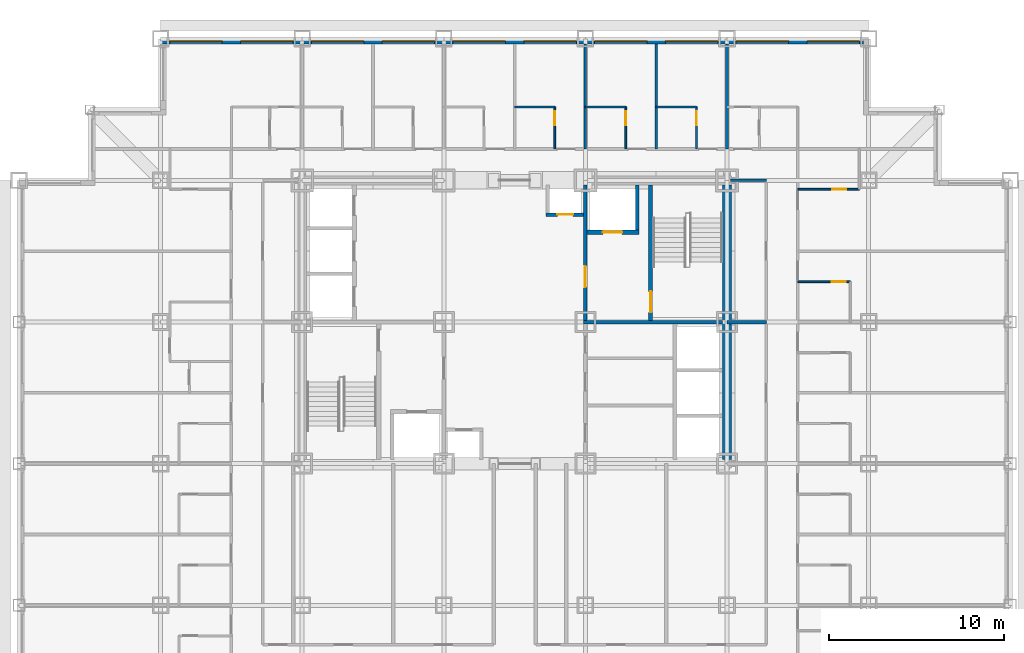
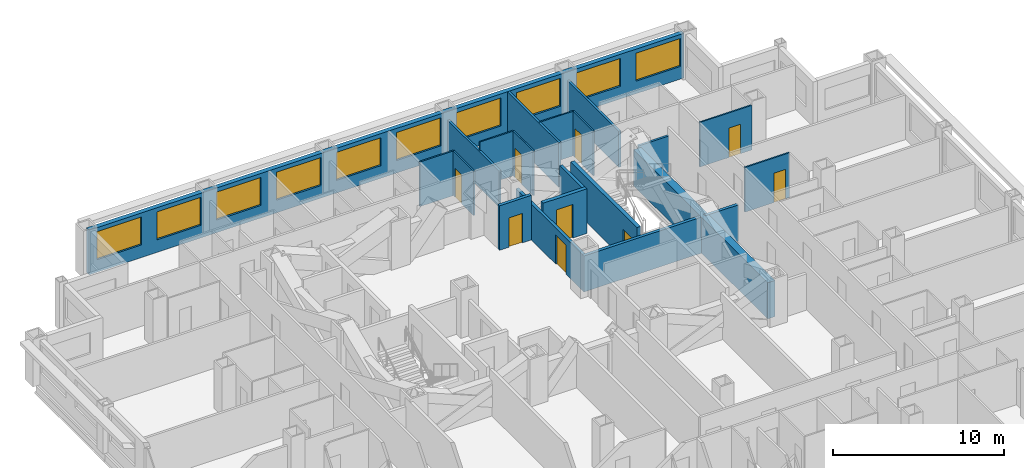
# One storey, part 9 of 11: 21 walls, 10 windows, 9 doors, 19 openings.
"""IFC4 building model written with IfcOpenShell, lengths in metres."""

from ifc_helpers import new_model, si_unit, direction, frame, frame_2d, origin, place, context, subcontext, project, spatial, rectangle, extrude, material, layer, layer_set, type_object, element, fill, save


model = new_model("IFC4")

# Units and contexts
model_context = context("Model", 3, precision=1e-05, world=origin(), true_north=direction((0.0, 1.0)))
body_context = subcontext(model_context, "Body", "Model", "MODEL_VIEW")
ifc_project = project(units=[si_unit("LENGTHUNIT", "METRE"), si_unit("AREAUNIT", "SQUARE_METRE"), si_unit("VOLUMEUNIT", "CUBIC_METRE"), si_unit("PLANEANGLEUNIT", "RADIAN"), si_unit("MASSUNIT", "GRAM", prefix="KILO")], contexts=[model_context])

# Site, building, storey
site_placement = place(None, origin())
site = spatial("IfcSite", under=ifc_project, at=site_placement, CompositionType="ELEMENT")
building_placement = place(site_placement, origin())
building = spatial("IfcBuilding", under=site, at=building_placement, Name="Kopane Lantern Tower", CompositionType="ELEMENT")
storey_placement = place(building_placement, frame((0.0, 0.0, 56.800048828125)))
storey = spatial("IfcBuildingStorey", under=building, at=storey_placement, Name="L13", CompositionType="ELEMENT", Elevation=56.800048828125)

# Wall
ifc_material_1 = material(Name="Moisture-resistant board on steel studs", Category="steel")
ifc_layer_1 = layer(ifc_material_1, 0.10009765625)
ifc_layer_set_1 = layer_set([ifc_layer_1], Name="BATHROOM WALL 100")
wall_type_1 = type_object("IfcWallType", Name="BATHROOM WALL 100", PredefinedType="PARTITIONING", material=ifc_layer_set_1)
wall_1_placement = place(storey_placement, frame((28.35009765625, 44.699951171875, 0.0), z_axis=(0.0, 0.0, 1.0), x_axis=(1.0, 0.0, 0.0)))
element("IfcWall", 1, at=wall_1_placement, inside=storey, type_object=wall_type_1, Name="Bathroom Wall 100 L13", PredefinedType="PARTITIONING", context=body_context, shape_type="SweptSolid", body=[
    extrude(rectangle(XDim=2.2998046875, YDim=0.10009765625, at=frame_2d((1.14990234375, 0.0))), origin(), (0.0, 0.0, 1.0), 3.18994140625),
])

# Wall, opening, door
wall_2_placement = place(storey_placement, frame((30.64990234375, 42.300048828125, 0.0), z_axis=(0.0, 0.0, 1.0), x_axis=(0.0, 1.0, 0.0)))
wall_2 = element("IfcWall", 2, at=wall_2_placement, inside=storey, type_object=wall_type_1, Name="Bathroom Wall 100 L13", PredefinedType="PARTITIONING", context=body_context, shape_type="SweptSolid", body=[
    extrude(rectangle(XDim=2.39990234375, YDim=0.10009765625, at=frame_2d((1.199951171875, 0.0))), origin(), (0.0, 0.0, 1.0), 3.18994140625),
])
opening_1_placement = place(wall_2_placement, frame((1.35009765625, 0.0, 0.0)))
opening_1 = element("IfcOpeningElement", 3, at=opening_1_placement, cuts=wall_2, Name="Opening L13-029", PredefinedType="OPENING", context=body_context, shape_type="SweptSolid", body=[
    extrude(rectangle(XDim=0.800048828125, YDim=2.10009765625, at=frame_2d((0.39990234375, 1.050048828125))), frame((0.0, 0.06005859375, 0.0), z_axis=(0.0, -1.0, 0.0), x_axis=(1.0, 0.0, 0.0)), (0.0, 0.0, 1.0), 0.1201171875),
])
ifc_material_2 = material(Name="Timber door set", Category="wood")
door_type_1 = type_object("IfcDoorType", Name="DOOR D2 800x2100", OperationType="SINGLE_SWING_LEFT", PredefinedType="DOOR", material=ifc_material_2)
door_1_placement = place(opening_1_placement, origin())
door_1 = element("IfcDoor", 4, at=door_1_placement, inside=storey, type_object=door_type_1, Name="Door L13-029", OperationType="SINGLE_SWING_RIGHT", OverallHeight=2.10009765625, OverallWidth=0.800048828125, PredefinedType="DOOR", context=body_context, shape_type="SweptSolid", body=[
    extrude(rectangle(XDim=0.800048828125, YDim=2.10009765625, at=frame_2d((0.39990234375, 1.050048828125))), frame((0.0, 0.02490234375, 0.0), z_axis=(0.0, -1.0, 0.0), x_axis=(1.0, 0.0, 0.0)), (0.0, 0.0, 1.0), 0.050048828125),
])
fill(opening_1, door_1)

# Wall
wall_3_placement = place(storey_placement, frame((32.39990234375, 44.699951171875, 0.0), z_axis=(0.0, 0.0, 1.0), x_axis=(1.0, 0.0, 0.0)))
element("IfcWall", 5, at=wall_3_placement, inside=storey, type_object=wall_type_1, Name="Bathroom Wall 100 L13", PredefinedType="PARTITIONING", context=body_context, shape_type="SweptSolid", body=[
    extrude(rectangle(XDim=2.300048828125, YDim=0.10009765625, at=frame_2d((1.14990234375, 0.0))), origin(), (0.0, 0.0, 1.0), 3.18994140625),
])

# Wall, opening, door
wall_4_placement = place(storey_placement, frame((34.699951171875, 42.300048828125, 0.0), z_axis=(0.0, 0.0, 1.0), x_axis=(0.0, 1.0, 0.0)))
wall_4 = element("IfcWall", 6, at=wall_4_placement, inside=storey, type_object=wall_type_1, Name="Bathroom Wall 100 L13", PredefinedType="PARTITIONING", context=body_context, shape_type="SweptSolid", body=[
    extrude(rectangle(XDim=2.39990234375, YDim=0.10009765625, at=frame_2d((1.199951171875, 0.0))), origin(), (0.0, 0.0, 1.0), 3.18994140625),
])
opening_2_placement = place(wall_4_placement, frame((1.35009765625, 0.0, 0.0)))
opening_2 = element("IfcOpeningElement", 7, at=opening_2_placement, cuts=wall_4, Name="Opening L13-031", PredefinedType="OPENING", context=body_context, shape_type="SweptSolid", body=[
    extrude(rectangle(XDim=0.800048828125, YDim=2.10009765625, at=frame_2d((0.39990234375, 1.050048828125))), frame((0.0, 0.06005859375, 0.0), z_axis=(0.0, -1.0, 0.0), x_axis=(1.0, 0.0, 0.0)), (0.0, 0.0, 1.0), 0.1201171875),
])
door_2_placement = place(opening_2_placement, origin())
door_2 = element("IfcDoor", 8, at=door_2_placement, inside=storey, type_object=door_type_1, Name="Door L13-031", OperationType="SINGLE_SWING_RIGHT", OverallHeight=2.10009765625, OverallWidth=0.800048828125, PredefinedType="DOOR", context=body_context, shape_type="SweptSolid", body=[
    extrude(rectangle(XDim=0.800048828125, YDim=2.10009765625, at=frame_2d((0.39990234375, 1.050048828125))), frame((0.0, 0.02490234375, 0.0), z_axis=(0.0, -1.0, 0.0), x_axis=(1.0, 0.0, 0.0)), (0.0, 0.0, 1.0), 0.050048828125),
])
fill(opening_2, door_2)

# Wall
wall_5_placement = place(storey_placement, frame((36.449951171875, 44.699951171875, 0.0), z_axis=(0.0, 0.0, 1.0), x_axis=(1.0, 0.0, 0.0)))
element("IfcWall", 9, at=wall_5_placement, inside=storey, type_object=wall_type_1, Name="Bathroom Wall 100 L13", PredefinedType="PARTITIONING", context=body_context, shape_type="SweptSolid", body=[
    extrude(rectangle(XDim=2.300048828125, YDim=0.10009765625, at=frame_2d((1.14990234375, 0.0))), origin(), (0.0, 0.0, 1.0), 3.18994140625),
])

# Wall, opening, door
wall_6_placement = place(storey_placement, frame((38.75, 42.300048828125, 0.0), z_axis=(0.0, 0.0, 1.0), x_axis=(0.0, 1.0, 0.0)))
wall_6 = element("IfcWall", 10, at=wall_6_placement, inside=storey, type_object=wall_type_1, Name="Bathroom Wall 100 L13", PredefinedType="PARTITIONING", context=body_context, shape_type="SweptSolid", body=[
    extrude(rectangle(XDim=2.39990234375, YDim=0.10009765625, at=frame_2d((1.199951171875, 0.0))), origin(), (0.0, 0.0, 1.0), 3.18994140625),
])
opening_3_placement = place(wall_6_placement, frame((1.35009765625, 0.0, 0.0)))
opening_3 = element("IfcOpeningElement", 11, at=opening_3_placement, cuts=wall_6, Name="Opening L13-033", PredefinedType="OPENING", context=body_context, shape_type="SweptSolid", body=[
    extrude(rectangle(XDim=0.800048828125, YDim=2.10009765625, at=frame_2d((0.39990234375, 1.050048828125))), frame((0.0, 0.06005859375, 0.0), z_axis=(0.0, -1.0, 0.0), x_axis=(1.0, 0.0, 0.0)), (0.0, 0.0, 1.0), 0.1201171875),
])
door_3_placement = place(opening_3_placement, origin())
door_3 = element("IfcDoor", 12, at=door_3_placement, inside=storey, type_object=door_type_1, Name="Door L13-033", OperationType="SINGLE_SWING_RIGHT", OverallHeight=2.10009765625, OverallWidth=0.800048828125, PredefinedType="DOOR", context=body_context, shape_type="SweptSolid", body=[
    extrude(rectangle(XDim=0.800048828125, YDim=2.10009765625, at=frame_2d((0.39990234375, 1.050048828125))), frame((0.0, 0.02490234375, 0.0), z_axis=(0.0, -1.0, 0.0), x_axis=(1.0, 0.0, 0.0)), (0.0, 0.0, 1.0), 0.050048828125),
])
fill(opening_3, door_3)

wall_7_placement = place(storey_placement, frame((44.550048828125, 34.699951171875, 0.0), z_axis=(0.0, 0.0, 1.0), x_axis=(1.0, 0.0, 0.0)))
wall_7 = element("IfcWall", 13, at=wall_7_placement, inside=storey, type_object=wall_type_1, Name="Bathroom Wall 100 L13", PredefinedType="PARTITIONING", context=body_context, shape_type="SweptSolid", body=[
    extrude(rectangle(XDim=3.0, YDim=0.10009765625, at=frame_2d((1.5, 0.0))), origin(), (0.0, 0.0, 1.0), 3.18994140625),
])
opening_4_placement = place(wall_7_placement, frame((1.949951171875, 0.0, 0.0)))
opening_4 = element("IfcOpeningElement", 14, at=opening_4_placement, cuts=wall_7, Name="Opening L13-058", PredefinedType="OPENING", context=body_context, shape_type="SweptSolid", body=[
    extrude(rectangle(XDim=0.800048828125, YDim=2.10009765625, at=frame_2d((0.39990234375, 1.050048828125))), frame((0.0, 0.06005859375, 0.0), z_axis=(0.0, -1.0, 0.0), x_axis=(1.0, 0.0, 0.0)), (0.0, 0.0, 1.0), 0.1201171875),
])
door_4_placement = place(opening_4_placement, origin())
door_4 = element("IfcDoor", 15, at=door_4_placement, inside=storey, type_object=door_type_1, Name="Door L13-058", OperationType="SINGLE_SWING_LEFT", OverallHeight=2.10009765625, OverallWidth=0.800048828125, PredefinedType="DOOR", context=body_context, shape_type="SweptSolid", body=[
    extrude(rectangle(XDim=0.800048828125, YDim=2.10009765625, at=frame_2d((0.39990234375, 1.050048828125))), frame((0.0, 0.02490234375, 0.0), z_axis=(0.0, -1.0, 0.0), x_axis=(1.0, 0.0, 0.0)), (0.0, 0.0, 1.0), 0.050048828125),
])
fill(opening_4, door_4)

wall_8_placement = place(storey_placement, frame((44.550048828125, 40.0, 0.0), z_axis=(0.0, 0.0, 1.0), x_axis=(1.0, 0.0, 0.0)))
wall_8 = element("IfcWall", 16, at=wall_8_placement, inside=storey, type_object=wall_type_1, Name="Bathroom Wall 100 L13", PredefinedType="PARTITIONING", context=body_context, shape_type="SweptSolid", body=[
    extrude(rectangle(XDim=3.514892578125, YDim=0.10009765625, at=frame_2d((1.75732421875, 0.0))), origin(), (0.0, 0.0, 1.0), 3.18994140625),
])
opening_5_placement = place(wall_8_placement, frame((1.965087890625, 0.0, 0.0)))
opening_5 = element("IfcOpeningElement", 17, at=opening_5_placement, cuts=wall_8, Name="Opening L13-060", PredefinedType="OPENING", context=body_context, shape_type="SweptSolid", body=[
    extrude(rectangle(XDim=0.800048828125, YDim=2.10009765625, at=frame_2d((0.39990234375, 1.050048828125))), frame((0.0, 0.06005859375, 0.0), z_axis=(0.0, -1.0, 0.0), x_axis=(1.0, 0.0, 0.0)), (0.0, 0.0, 1.0), 0.1201171875),
])
door_5_placement = place(opening_5_placement, origin())
door_5 = element("IfcDoor", 18, at=door_5_placement, inside=storey, type_object=door_type_1, Name="Door L13-060", OperationType="SINGLE_SWING_RIGHT", OverallHeight=2.10009765625, OverallWidth=0.800048828125, PredefinedType="DOOR", context=body_context, shape_type="SweptSolid", body=[
    extrude(rectangle(XDim=0.800048828125, YDim=2.10009765625, at=frame_2d((0.39990234375, 1.050048828125))), frame((0.0, 0.02490234375, 0.0), z_axis=(0.0, -1.0, 0.0), x_axis=(1.0, 0.0, 0.0)), (0.0, 0.0, 1.0), 0.050048828125),
])
fill(opening_5, door_5)

# Wall
ifc_material_3 = material(Name="Gypsum shaft wall EI 120", Category="gypsum")
ifc_layer_2 = layer(ifc_material_3, 0.5)
ifc_layer_set_2 = layer_set([ifc_layer_2], Name="CORE PERIMETER WALL 500 EI 120")
wall_type_2 = type_object("IfcWallType", Name="CORE PERIMETER WALL 500 EI 120", PredefinedType="SOLIDWALL", material=ifc_layer_set_2)
wall_9_placement = place(storey_placement, frame((40.5, 24.550048828125, 0.0), z_axis=(0.0, 0.0, 1.0), x_axis=(0.0, 1.0, 0.0)))
element("IfcWall", 19, at=wall_9_placement, inside=storey, type_object=wall_type_2, Name="Core shaft wall L13 PE", PredefinedType="SOLIDWALL", context=body_context, shape_type="SweptSolid", body=[
    extrude(rectangle(XDim=15.699951171875, YDim=0.5, at=frame_2d((7.85009765625, 0.0))), origin(), (0.0, 0.0, 1.0), 2.57763671875),
])

# Wall, opening, door
ifc_material_4 = material(Name="Gypsum shaft wall EI 120", Category="gypsum")
ifc_layer_3 = layer(ifc_material_4, 0.25)
ifc_layer_set_3 = layer_set([ifc_layer_3], Name="CORE SHAFT WALL 250 EI 120")
wall_type_3 = type_object("IfcWallType", Name="CORE SHAFT WALL 250 EI 120", PredefinedType="SOLIDWALL", material=ifc_layer_set_3)
wall_10_placement = place(storey_placement, frame((36.125, 32.5, 0.0), z_axis=(0.0, 0.0, 1.0), x_axis=(0.0, 1.0, 0.0)))
wall_10 = element("IfcWall", 20, at=wall_10_placement, inside=storey, type_object=wall_type_3, Name="Core shaft wall L13 XST2", PredefinedType="SOLIDWALL", context=body_context, shape_type="SweptSolid", body=[
    extrude(rectangle(XDim=7.75, YDim=0.25, at=frame_2d((3.875, 0.0))), origin(), (0.0, 0.0, 1.0), 3.18994140625),
])
opening_6_placement = place(wall_10_placement, frame((0.449951171875, 0.0, 0.0)))
opening_6 = element("IfcOpeningElement", 21, at=opening_6_placement, cuts=wall_10, Name="Opening 13.SD2", PredefinedType="OPENING", context=body_context, shape_type="SweptSolid", body=[
    extrude(rectangle(XDim=1.199951171875, YDim=2.10009765625, at=frame_2d((0.60009765625, 1.050048828125))), frame((0.0, 0.135009765625, 0.0), z_axis=(0.0, -1.0, 0.0), x_axis=(1.0, 0.0, 0.0)), (0.0, 0.0, 1.0), 0.27001953125),
])
ifc_material_5 = material(Name="Steel door set", Category="steel")
door_type_2 = type_object("IfcDoorType", Name="STAIR DOOR 1200x2100 FD60S", OperationType="SINGLE_SWING_LEFT", PredefinedType="DOOR", material=ifc_material_5)
door_6_placement = place(opening_6_placement, origin())
door_6 = element("IfcDoor", 22, at=door_6_placement, inside=storey, type_object=door_type_2, Name="Stair door ST2 L13", OperationType="SINGLE_SWING_RIGHT", OverallHeight=2.10009765625, OverallWidth=1.199951171875, PredefinedType="DOOR", context=body_context, shape_type="SweptSolid", body=[
    extrude(rectangle(XDim=1.199951171875, YDim=2.10009765625, at=frame_2d((0.60009765625, 1.050048828125))), frame((0.0, 0.02490234375, 0.0), z_axis=(0.0, -1.0, 0.0), x_axis=(1.0, 0.0, 0.0)), (0.0, 0.0, 1.0), 0.050048828125),
])
fill(opening_6, door_6)

wall_11_placement = place(storey_placement, frame((32.5, 37.52490234375, 0.0), z_axis=(0.0, 0.0, 1.0), x_axis=(1.0, 0.0, 0.0)))
wall_11 = element("IfcWall", 23, at=wall_11_placement, inside=storey, type_object=wall_type_3, Name="Core shaft wall L13 YLF2", PredefinedType="SOLIDWALL", context=body_context, shape_type="SweptSolid", body=[
    extrude(rectangle(XDim=2.949951171875, YDim=0.25, at=frame_2d((1.47509765625, 0.0))), origin(), (0.0, 0.0, 1.0), 3.18994140625),
])
opening_7_placement = place(wall_11_placement, frame((0.89990234375, 0.0, 0.0)))
opening_7 = element("IfcOpeningElement", 24, at=opening_7_placement, cuts=wall_11, Name="Opening 13.LD-LF2", PredefinedType="OPENING", context=body_context, shape_type="SweptSolid", body=[
    extrude(rectangle(XDim=1.10009765625, YDim=2.39990234375, at=frame_2d((0.550048828125, 1.199951171875))), frame((0.0, 0.135009765625, 0.0), z_axis=(0.0, -1.0, 0.0), x_axis=(1.0, 0.0, 0.0)), (0.0, 0.0, 1.0), 0.27001953125),
])
ifc_material_6 = material(Name="Steel door set", Category="steel")
door_type_3 = type_object("IfcDoorType", Name="LIFT LANDING DOOR 1100x2400 FD60", OperationType="DOUBLE_DOOR_SLIDING", PredefinedType="DOOR", material=ifc_material_6)
door_7_placement = place(opening_7_placement, origin())
door_7 = element("IfcDoor", 25, at=door_7_placement, inside=storey, type_object=door_type_3, Name="Landing door LF2 L13", OperationType="DOUBLE_DOOR_SLIDING", OverallHeight=2.39990234375, OverallWidth=1.10009765625, PredefinedType="DOOR", context=body_context, shape_type="SweptSolid", body=[
    extrude(rectangle(XDim=1.10009765625, YDim=2.39990234375, at=frame_2d((0.550048828125, 1.199951171875))), frame((0.0, 0.02490234375, 0.0), z_axis=(0.0, -1.0, 0.0), x_axis=(1.0, 0.0, 0.0)), (0.0, 0.0, 1.0), 0.050048828125),
])
fill(opening_7, door_7)

# Walls
ifc_material_7 = material(Name="Gypsum board on steel studs", Category="steel")
ifc_layer_4 = layer(ifc_material_7, 0.14990234375)
ifc_layer_set_4 = layer_set([ifc_layer_4], Name="CORRIDOR WALL 150 EI 60")
wall_type_4 = type_object("IfcWallType", Name="CORRIDOR WALL 150 EI 60", PredefinedType="PARTITIONING", material=ifc_layer_set_4)
wall_12_placement = place(storey_placement, frame((42.75, 40.5, 0.0), z_axis=(0.0, 0.0, 1.0), x_axis=(-1.0, 0.0, 0.0)))
element("IfcWall", 26, at=wall_12_placement, inside=storey, type_object=wall_type_4, Name="Corridor Wall 150 Ei 60 L13", PredefinedType="PARTITIONING", context=body_context, shape_type="SweptSolid", body=[
    extrude(rectangle(XDim=2.050048828125, YDim=0.14990234375, at=frame_2d((1.02490234375, 0.0))), origin(), (0.0, 0.0, 1.0), 2.57763671875),
])
ifc_material_8 = material(Name="Gypsum board on steel studs", Category="steel")
ifc_layer_5 = layer(ifc_material_8, 0.14990234375)
ifc_layer_set_5 = layer_set([ifc_layer_5], Name="DEMISING WALL 150 EI 60")
wall_type_5 = type_object("IfcWallType", Name="DEMISING WALL 150 EI 60", PredefinedType="PARTITIONING", material=ifc_layer_set_5)
wall_13_placement = place(storey_placement, frame((32.39990234375, 42.300048828125, 0.0), z_axis=(0.0, 0.0, 1.0), x_axis=(0.0, 1.0, 0.0)))
element("IfcWall", 27, at=wall_13_placement, inside=storey, type_object=wall_type_5, Name="Demising Wall 150 Ei 60 L13", PredefinedType="PARTITIONING", context=body_context, shape_type="SweptSolid", body=[
    extrude(rectangle(XDim=6.0, YDim=0.14990234375, at=frame_2d((3.0, 0.0))), origin(), (0.0, 0.0, 1.0), 2.57763671875),
])
wall_14_placement = place(storey_placement, frame((36.449951171875, 42.300048828125, 0.0), z_axis=(0.0, 0.0, 1.0), x_axis=(0.0, 1.0, 0.0)))
element("IfcWall", 28, at=wall_14_placement, inside=storey, type_object=wall_type_5, Name="Demising Wall 150 Ei 60 L13", PredefinedType="PARTITIONING", context=body_context, shape_type="SweptSolid", body=[
    extrude(rectangle(XDim=6.0, YDim=0.14990234375, at=frame_2d((3.0, 0.0))), origin(), (0.0, 0.0, 1.0), 3.18994140625),
])
wall_15_placement = place(storey_placement, frame((40.5, 42.300048828125, 0.0), z_axis=(0.0, 0.0, 1.0), x_axis=(0.0, 1.0, 0.0)))
element("IfcWall", 29, at=wall_15_placement, inside=storey, type_object=wall_type_5, Name="Demising Wall 150 Ei 60 L13", PredefinedType="PARTITIONING", context=body_context, shape_type="SweptSolid", body=[
    extrude(rectangle(XDim=6.0, YDim=0.14990234375, at=frame_2d((3.0, 0.0))), origin(), (0.0, 0.0, 1.0), 2.57763671875),
])

# Wall, openings, windows
ifc_material_9 = material(Name="Terracotta rainscreen on light steel framing", Category="masonry")
ifc_layer_6 = layer(ifc_material_9, 0.300048828125)
ifc_layer_set_6 = layer_set([ifc_layer_6], Name="EXTERNAL WALL EW1 300 TERRACOTTA")
wall_type_6 = type_object("IfcWallType", Name="EXTERNAL WALL EW1 300 TERRACOTTA", PredefinedType="SOLIDWALL", material=ifc_layer_set_6)
wall_16_placement = place(storey_placement, frame((48.300048828125, 48.449951171875, 0.0), z_axis=(0.0, 0.0, 1.0), x_axis=(-1.0, 0.0, 0.0)))
wall_16 = element("IfcWall", 30, at=wall_16_placement, inside=storey, type_object=wall_type_6, Name="External wall N L13", PredefinedType="SOLIDWALL", context=body_context, shape_type="SweptSolid", body=[
    extrude(rectangle(XDim=40.199951171875, YDim=0.300048828125, at=frame_2d((20.10009765625, 0.0))), origin(), (0.0, 0.0, 1.0), 3.18994140625),
])
opening_8_placement = place(wall_16_placement, frame((0.22509765625, 0.0, 0.89990234375)))
opening_8 = element("IfcOpeningElement", 31, at=opening_8_placement, cuts=wall_16, Name="Opening WR300200", PredefinedType="OPENING", context=body_context, shape_type="SweptSolid", body=[
    extrude(rectangle(XDim=3.0, YDim=2.0, at=frame_2d((1.5, 1.0))), frame((0.0, 0.159912109375, 0.0), z_axis=(0.0, -1.0, 0.0), x_axis=(1.0, 0.0, 0.0)), (0.0, 0.0, 1.0), 0.320068359375),
])
opening_9_placement = place(wall_16_placement, frame((4.27490234375, 0.0, 0.89990234375)))
opening_9 = element("IfcOpeningElement", 32, at=opening_9_placement, cuts=wall_16, Name="Opening WR300200", PredefinedType="OPENING", context=body_context, shape_type="SweptSolid", body=[
    extrude(rectangle(XDim=3.0, YDim=2.0, at=frame_2d((1.5, 1.0))), frame((0.0, 0.159912109375, 0.0), z_axis=(0.0, -1.0, 0.0), x_axis=(1.0, 0.0, 0.0)), (0.0, 0.0, 1.0), 0.320068359375),
])
opening_10_placement = place(wall_16_placement, frame((8.324951171875, 0.0, 0.89990234375)))
opening_10 = element("IfcOpeningElement", 33, at=opening_10_placement, cuts=wall_16, Name="Opening WR300200", PredefinedType="OPENING", context=body_context, shape_type="SweptSolid", body=[
    extrude(rectangle(XDim=3.0, YDim=2.0, at=frame_2d((1.5, 1.0))), frame((0.0, 0.159912109375, 0.0), z_axis=(0.0, -1.0, 0.0), x_axis=(1.0, 0.0, 0.0)), (0.0, 0.0, 1.0), 0.320068359375),
])
opening_11_placement = place(wall_16_placement, frame((12.375, 0.0, 0.89990234375)))
opening_11 = element("IfcOpeningElement", 34, at=opening_11_placement, cuts=wall_16, Name="Opening WR300200", PredefinedType="OPENING", context=body_context, shape_type="SweptSolid", body=[
    extrude(rectangle(XDim=3.0, YDim=2.0, at=frame_2d((1.5, 1.0))), frame((0.0, 0.159912109375, 0.0), z_axis=(0.0, -1.0, 0.0), x_axis=(1.0, 0.0, 0.0)), (0.0, 0.0, 1.0), 0.320068359375),
])
opening_12_placement = place(wall_16_placement, frame((16.425048828125, 0.0, 0.89990234375)))
opening_12 = element("IfcOpeningElement", 35, at=opening_12_placement, cuts=wall_16, Name="Opening WR300200", PredefinedType="OPENING", context=body_context, shape_type="SweptSolid", body=[
    extrude(rectangle(XDim=3.0, YDim=2.0, at=frame_2d((1.5, 1.0))), frame((0.0, 0.159912109375, 0.0), z_axis=(0.0, -1.0, 0.0), x_axis=(1.0, 0.0, 0.0)), (0.0, 0.0, 1.0), 0.320068359375),
])
opening_13_placement = place(wall_16_placement, frame((20.47509765625, 0.0, 0.89990234375)))
opening_13 = element("IfcOpeningElement", 36, at=opening_13_placement, cuts=wall_16, Name="Opening WR300200", PredefinedType="OPENING", context=body_context, shape_type="SweptSolid", body=[
    extrude(rectangle(XDim=3.0, YDim=2.0, at=frame_2d((1.5, 1.0))), frame((0.0, 0.159912109375, 0.0), z_axis=(0.0, -1.0, 0.0), x_axis=(1.0, 0.0, 0.0)), (0.0, 0.0, 1.0), 0.320068359375),
])
opening_14_placement = place(wall_16_placement, frame((24.52490234375, 0.0, 0.89990234375)))
opening_14 = element("IfcOpeningElement", 37, at=opening_14_placement, cuts=wall_16, Name="Opening WR300200", PredefinedType="OPENING", context=body_context, shape_type="SweptSolid", body=[
    extrude(rectangle(XDim=3.0, YDim=2.0, at=frame_2d((1.5, 1.0))), frame((0.0, 0.159912109375, 0.0), z_axis=(0.0, -1.0, 0.0), x_axis=(1.0, 0.0, 0.0)), (0.0, 0.0, 1.0), 0.320068359375),
])
opening_15_placement = place(wall_16_placement, frame((28.574951171875, 0.0, 0.89990234375)))
opening_15 = element("IfcOpeningElement", 38, at=opening_15_placement, cuts=wall_16, Name="Opening WR300200", PredefinedType="OPENING", context=body_context, shape_type="SweptSolid", body=[
    extrude(rectangle(XDim=3.0, YDim=2.0, at=frame_2d((1.5, 1.0))), frame((0.0, 0.159912109375, 0.0), z_axis=(0.0, -1.0, 0.0), x_axis=(1.0, 0.0, 0.0)), (0.0, 0.0, 1.0), 0.320068359375),
])
opening_16_placement = place(wall_16_placement, frame((32.625, 0.0, 0.89990234375)))
opening_16 = element("IfcOpeningElement", 39, at=opening_16_placement, cuts=wall_16, Name="Opening WR300200", PredefinedType="OPENING", context=body_context, shape_type="SweptSolid", body=[
    extrude(rectangle(XDim=3.0, YDim=2.0, at=frame_2d((1.5, 1.0))), frame((0.0, 0.159912109375, 0.0), z_axis=(0.0, -1.0, 0.0), x_axis=(1.0, 0.0, 0.0)), (0.0, 0.0, 1.0), 0.320068359375),
])
opening_17_placement = place(wall_16_placement, frame((36.675048828125, 0.0, 0.89990234375)))
opening_17 = element("IfcOpeningElement", 40, at=opening_17_placement, cuts=wall_16, Name="Opening WR300200", PredefinedType="OPENING", context=body_context, shape_type="SweptSolid", body=[
    extrude(rectangle(XDim=3.0, YDim=2.0, at=frame_2d((1.5, 1.0))), frame((0.0, 0.159912109375, 0.0), z_axis=(0.0, -1.0, 0.0), x_axis=(1.0, 0.0, 0.0)), (0.0, 0.0, 1.0), 0.320068359375),
])
ifc_material_10 = material(Name="Aluminium and clear glass", Category="aluminium")
window_type = type_object("IfcWindowType", Name="RIBBON WINDOW WR300200 3000x2000", PartitioningType="SINGLE_PANEL", PredefinedType="WINDOW", material=ifc_material_10)
window_1_placement = place(opening_8_placement, origin())
window_1 = element("IfcWindow", 41, at=window_1_placement, inside=storey, type_object=window_type, Name="Window N L13", OverallHeight=2.0, OverallWidth=3.0, PartitioningType="SINGLE_PANEL", PredefinedType="WINDOW", context=body_context, shape_type="SweptSolid", body=[
    extrude(rectangle(XDim=3.0, YDim=2.0, at=frame_2d((1.5, 1.0))), frame((0.0, 0.030029296875, 0.0), z_axis=(0.0, -1.0, 0.0), x_axis=(1.0, 0.0, 0.0)), (0.0, 0.0, 1.0), 0.06005859375),
])
fill(opening_8, window_1)
window_2_placement = place(opening_9_placement, origin())
window_2 = element("IfcWindow", 42, at=window_2_placement, inside=storey, type_object=window_type, Name="Window N L13", OverallHeight=2.0, OverallWidth=3.0, PartitioningType="SINGLE_PANEL", PredefinedType="WINDOW", context=body_context, shape_type="SweptSolid", body=[
    extrude(rectangle(XDim=3.0, YDim=2.0, at=frame_2d((1.5, 1.0))), frame((0.0, 0.030029296875, 0.0), z_axis=(0.0, -1.0, 0.0), x_axis=(1.0, 0.0, 0.0)), (0.0, 0.0, 1.0), 0.06005859375),
])
fill(opening_9, window_2)
window_3_placement = place(opening_10_placement, origin())
window_3 = element("IfcWindow", 43, at=window_3_placement, inside=storey, type_object=window_type, Name="Window N L13", OverallHeight=2.0, OverallWidth=3.0, PartitioningType="SINGLE_PANEL", PredefinedType="WINDOW", context=body_context, shape_type="SweptSolid", body=[
    extrude(rectangle(XDim=3.0, YDim=2.0, at=frame_2d((1.5, 1.0))), frame((0.0, 0.030029296875, 0.0), z_axis=(0.0, -1.0, 0.0), x_axis=(1.0, 0.0, 0.0)), (0.0, 0.0, 1.0), 0.06005859375),
])
fill(opening_10, window_3)
window_4_placement = place(opening_11_placement, origin())
window_4 = element("IfcWindow", 44, at=window_4_placement, inside=storey, type_object=window_type, Name="Window N L13", OverallHeight=2.0, OverallWidth=3.0, PartitioningType="SINGLE_PANEL", PredefinedType="WINDOW", context=body_context, shape_type="SweptSolid", body=[
    extrude(rectangle(XDim=3.0, YDim=2.0, at=frame_2d((1.5, 1.0))), frame((0.0, 0.030029296875, 0.0), z_axis=(0.0, -1.0, 0.0), x_axis=(1.0, 0.0, 0.0)), (0.0, 0.0, 1.0), 0.06005859375),
])
fill(opening_11, window_4)
window_5_placement = place(opening_12_placement, origin())
window_5 = element("IfcWindow", 45, at=window_5_placement, inside=storey, type_object=window_type, Name="Window N L13", OverallHeight=2.0, OverallWidth=3.0, PartitioningType="SINGLE_PANEL", PredefinedType="WINDOW", context=body_context, shape_type="SweptSolid", body=[
    extrude(rectangle(XDim=3.0, YDim=2.0, at=frame_2d((1.5, 1.0))), frame((0.0, 0.030029296875, 0.0), z_axis=(0.0, -1.0, 0.0), x_axis=(1.0, 0.0, 0.0)), (0.0, 0.0, 1.0), 0.06005859375),
])
fill(opening_12, window_5)
window_6_placement = place(opening_13_placement, origin())
window_6 = element("IfcWindow", 46, at=window_6_placement, inside=storey, type_object=window_type, Name="Window N L13", OverallHeight=2.0, OverallWidth=3.0, PartitioningType="SINGLE_PANEL", PredefinedType="WINDOW", context=body_context, shape_type="SweptSolid", body=[
    extrude(rectangle(XDim=3.0, YDim=2.0, at=frame_2d((1.5, 1.0))), frame((0.0, 0.030029296875, 0.0), z_axis=(0.0, -1.0, 0.0), x_axis=(1.0, 0.0, 0.0)), (0.0, 0.0, 1.0), 0.06005859375),
])
fill(opening_13, window_6)
window_7_placement = place(opening_14_placement, origin())
window_7 = element("IfcWindow", 47, at=window_7_placement, inside=storey, type_object=window_type, Name="Window N L13", OverallHeight=2.0, OverallWidth=3.0, PartitioningType="SINGLE_PANEL", PredefinedType="WINDOW", context=body_context, shape_type="SweptSolid", body=[
    extrude(rectangle(XDim=3.0, YDim=2.0, at=frame_2d((1.5, 1.0))), frame((0.0, 0.030029296875, 0.0), z_axis=(0.0, -1.0, 0.0), x_axis=(1.0, 0.0, 0.0)), (0.0, 0.0, 1.0), 0.06005859375),
])
fill(opening_14, window_7)
window_8_placement = place(opening_15_placement, origin())
window_8 = element("IfcWindow", 48, at=window_8_placement, inside=storey, type_object=window_type, Name="Window N L13", OverallHeight=2.0, OverallWidth=3.0, PartitioningType="SINGLE_PANEL", PredefinedType="WINDOW", context=body_context, shape_type="SweptSolid", body=[
    extrude(rectangle(XDim=3.0, YDim=2.0, at=frame_2d((1.5, 1.0))), frame((0.0, 0.030029296875, 0.0), z_axis=(0.0, -1.0, 0.0), x_axis=(1.0, 0.0, 0.0)), (0.0, 0.0, 1.0), 0.06005859375),
])
fill(opening_15, window_8)
window_9_placement = place(opening_16_placement, origin())
window_9 = element("IfcWindow", 49, at=window_9_placement, inside=storey, type_object=window_type, Name="Window N L13", OverallHeight=2.0, OverallWidth=3.0, PartitioningType="SINGLE_PANEL", PredefinedType="WINDOW", context=body_context, shape_type="SweptSolid", body=[
    extrude(rectangle(XDim=3.0, YDim=2.0, at=frame_2d((1.5, 1.0))), frame((0.0, 0.030029296875, 0.0), z_axis=(0.0, -1.0, 0.0), x_axis=(1.0, 0.0, 0.0)), (0.0, 0.0, 1.0), 0.06005859375),
])
fill(opening_16, window_9)
window_10_placement = place(opening_17_placement, origin())
window_10 = element("IfcWindow", 50, at=window_10_placement, inside=storey, type_object=window_type, Name="Window N L13", OverallHeight=2.0, OverallWidth=3.0, PartitioningType="SINGLE_PANEL", PredefinedType="WINDOW", context=body_context, shape_type="SweptSolid", body=[
    extrude(rectangle(XDim=3.0, YDim=2.0, at=frame_2d((1.5, 1.0))), frame((0.0, 0.030029296875, 0.0), z_axis=(0.0, -1.0, 0.0), x_axis=(1.0, 0.0, 0.0)), (0.0, 0.0, 1.0), 0.06005859375),
])
fill(opening_17, window_10)

# Walls
ifc_material_11 = material(Name="Concrete masonry", Category="masonry")
ifc_layer_7 = layer(ifc_material_11, 0.199951171875)
ifc_layer_set_7 = layer_set([ifc_layer_7], Name="PLANT ROOM WALL 200 EI 120")
wall_type_7 = type_object("IfcWallType", Name="PLANT ROOM WALL 200 EI 120", PredefinedType="SOLIDWALL", material=ifc_layer_set_7)
wall_17_placement = place(storey_placement, frame((40.5, 32.39990234375, 0.0), z_axis=(0.0, 0.0, 1.0), x_axis=(1.0, 0.0, 0.0)))
element("IfcWall", 51, at=wall_17_placement, inside=storey, type_object=wall_type_7, Name="Plant Room Wall 200 Ei 120 L13", PredefinedType="SOLIDWALL", context=body_context, shape_type="SweptSolid", body=[
    extrude(rectangle(XDim=2.25, YDim=0.199951171875, at=frame_2d((1.125, 0.0))), origin(), (0.0, 0.0, 1.0), 2.57763671875),
])
ifc_material_12 = material(Name="Gypsum shaft wall EI 120", Category="gypsum")
ifc_layer_8 = layer(ifc_material_12, 0.199951171875)
ifc_layer_set_8 = layer_set([ifc_layer_8], Name="SHAFT WALL 200 EI 120")
wall_type_8 = type_object("IfcWallType", Name="SHAFT WALL 200 EI 120", PredefinedType="SOLIDWALL", material=ifc_layer_set_8)
wall_18_placement = place(storey_placement, frame((32.300048828125, 32.39990234375, 0.0), z_axis=(0.0, 0.0, 1.0), x_axis=(1.0, 0.0, 0.0)))
element("IfcWall", 52, at=wall_18_placement, inside=storey, type_object=wall_type_8, Name="Core shaft wall L13 Y324E", PredefinedType="SOLIDWALL", context=body_context, shape_type="SweptSolid", body=[
    extrude(rectangle(XDim=7.949951171875, YDim=0.199951171875, at=frame_2d((3.97509765625, 0.0))), origin(), (0.0, 0.0, 1.0), 2.57763671875),
])

# Wall, opening, door
wall_19_placement = place(storey_placement, frame((32.39990234375, 32.5, 0.0), z_axis=(0.0, 0.0, 1.0), x_axis=(0.0, 1.0, 0.0)))
wall_19 = element("IfcWall", 53, at=wall_19_placement, inside=storey, type_object=wall_type_8, Name="Core shaft wall L13 X324", PredefinedType="SOLIDWALL", context=body_context, shape_type="SweptSolid", body=[
    extrude(rectangle(XDim=7.75, YDim=0.199951171875, at=frame_2d((3.875, 0.0))), origin(), (0.0, 0.0, 1.0), 2.57763671875),
])
opening_18_placement = place(wall_19_placement, frame((1.89990234375, 0.0, 0.0)))
opening_18 = element("IfcOpeningElement", 54, at=opening_18_placement, cuts=wall_19, Name="Opening 13.FL2", PredefinedType="OPENING", context=body_context, shape_type="SweptSolid", body=[
    extrude(rectangle(XDim=1.199951171875, YDim=2.10009765625, at=frame_2d((0.60009765625, 1.050048828125))), frame((0.0, 0.10986328125, 0.0), z_axis=(0.0, -1.0, 0.0), x_axis=(1.0, 0.0, 0.0)), (0.0, 0.0, 1.0), 0.219970703125),
])
ifc_material_13 = material(Name="Steel door set", Category="steel")
door_type_4 = type_object("IfcDoorType", Name="FIREFIGHTING LOBBY DOOR 1200x2100 FD60S", OperationType="SINGLE_SWING_RIGHT", PredefinedType="DOOR", material=ifc_material_13)
door_8_placement = place(opening_18_placement, origin())
door_8 = element("IfcDoor", 55, at=door_8_placement, inside=storey, type_object=door_type_4, Name="Firefighting lobby door FL2 L13", OperationType="SINGLE_SWING_LEFT", OverallHeight=2.10009765625, OverallWidth=1.199951171875, PredefinedType="DOOR", context=body_context, shape_type="SweptSolid", body=[
    extrude(rectangle(XDim=1.199951171875, YDim=2.10009765625, at=frame_2d((0.60009765625, 1.050048828125))), frame((0.0, 0.02490234375, 0.0), z_axis=(0.0, -1.0, 0.0), x_axis=(1.0, 0.0, 0.0)), (0.0, 0.0, 1.0), 0.050048828125),
])
fill(opening_18, door_8)

# Wall
wall_20_placement = place(storey_placement, frame((35.35009765625, 37.64990234375, 0.0), z_axis=(0.0, 0.0, 1.0), x_axis=(0.0, 1.0, 0.0)))
element("IfcWall", 56, at=wall_20_placement, inside=storey, type_object=wall_type_8, Name="Core shaft wall L13 XLF2", PredefinedType="SOLIDWALL", context=body_context, shape_type="SweptSolid", body=[
    extrude(rectangle(XDim=2.60009765625, YDim=0.199951171875, at=frame_2d((1.300048828125, 0.0))), origin(), (0.0, 0.0, 1.0), 3.18994140625),
])

# Wall, opening, door
wall_21_placement = place(storey_placement, frame((30.14990234375, 38.550048828125, 0.0), z_axis=(0.0, 0.0, 1.0), x_axis=(1.0, 0.0, 0.0)))
wall_21 = element("IfcWall", 57, at=wall_21_placement, inside=storey, type_object=wall_type_8, Name="Core shaft wall L13 YRS2", PredefinedType="SOLIDWALL", context=body_context, shape_type="SweptSolid", body=[
    extrude(rectangle(XDim=2.150146484375, YDim=0.199951171875, at=frame_2d((1.0751953125, 0.0))), origin(), (0.0, 0.0, 1.0), 3.18994140625),
])
opening_19_placement = place(wall_21_placement, frame((0.64990234375, 0.0, 0.0)))
opening_19 = element("IfcOpeningElement", 58, at=opening_19_placement, cuts=wall_21, Name="Opening 13.RS2", PredefinedType="OPENING", context=body_context, shape_type="SweptSolid", body=[
    extrude(rectangle(XDim=0.89990234375, YDim=2.10009765625, at=frame_2d((0.449951171875, 1.050048828125))), frame((0.0, 0.10986328125, 0.0), z_axis=(0.0, -1.0, 0.0), x_axis=(1.0, 0.0, 0.0)), (0.0, 0.0, 1.0), 0.219970703125),
])
ifc_material_14 = material(Name="Steel door set", Category="steel")
door_type_5 = type_object("IfcDoorType", Name="RISER ACCESS DOOR 900x2100 FD60", OperationType="SINGLE_SWING_LEFT", PredefinedType="DOOR", material=ifc_material_14)
door_9_placement = place(opening_19_placement, origin())
door_9 = element("IfcDoor", 59, at=door_9_placement, inside=storey, type_object=door_type_5, Name="Riser access door RS2 L13", OperationType="SINGLE_SWING_LEFT", OverallHeight=2.10009765625, OverallWidth=0.89990234375, PredefinedType="DOOR", context=body_context, shape_type="SweptSolid", body=[
    extrude(rectangle(XDim=0.89990234375, YDim=2.10009765625, at=frame_2d((0.449951171875, 1.050048828125))), frame((0.0, 0.02490234375, 0.0), z_axis=(0.0, -1.0, 0.0), x_axis=(1.0, 0.0, 0.0)), (0.0, 0.0, 1.0), 0.050048828125),
])
fill(opening_19, door_9)

save(model, "model.ifc")
